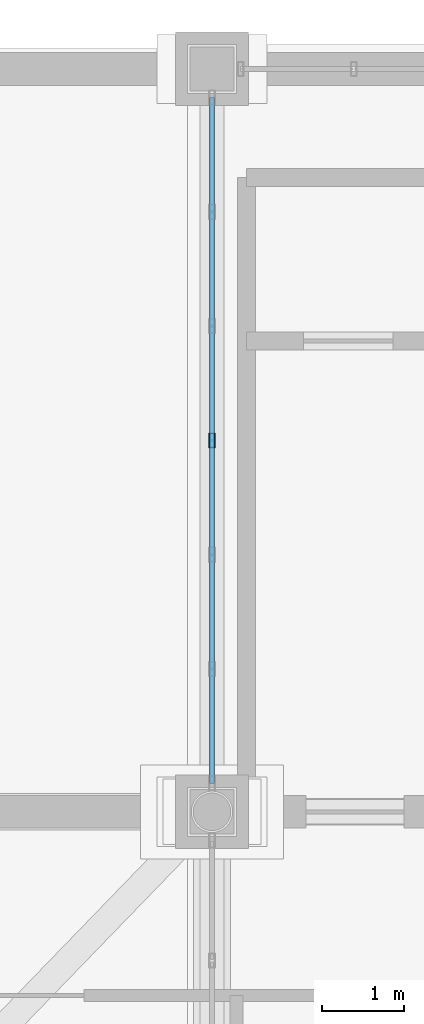
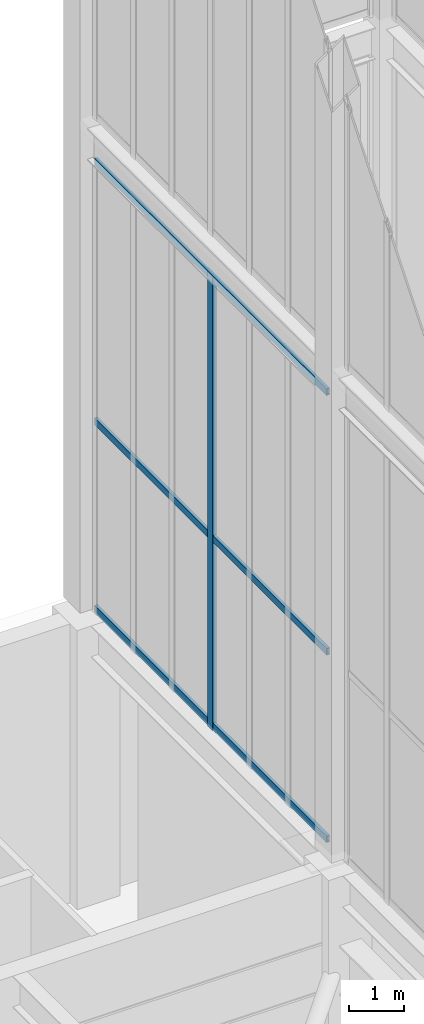
# One storey, part 92 of 135: 4 members, 1 element without a shape of its own.
"""IFC4 building model written with IfcOpenShell, lengths in metres."""

from ifc_helpers import new_model, si_unit, direction, frame, origin, origin_2d, place, context, subcontext, project, spatial, hollow_rectangle, extrude, source, transform, mapped, material, layer, layer_set, material_profile, profile_set, type_object, element, aggregate, save


model = new_model("IFC4")

# Units and contexts
model_context = context("Model", 3, precision=1e-05, world=origin(), true_north=direction((0.0, 1.0)))
body_context = subcontext(model_context, "Body", "Model", "MODEL_VIEW")
ifc_project = project(units=[si_unit("LENGTHUNIT", "METRE"), si_unit("AREAUNIT", "SQUARE_METRE"), si_unit("VOLUMEUNIT", "CUBIC_METRE"), si_unit("PLANEANGLEUNIT", "RADIAN"), si_unit("MASSUNIT", "GRAM", prefix="KILO")], contexts=[model_context])

# Site, building, storey
site_placement = place(None, origin())
site = spatial("IfcSite", under=ifc_project, at=site_placement, CompositionType="ELEMENT")
building_placement = place(site_placement, origin())
building = spatial("IfcBuilding", under=site, at=building_placement, Name="Giltprow Tower", CompositionType="ELEMENT")
storey_placement = place(building_placement, frame((0.0, 0.0, 352.699951171875)))
storey = spatial("IfcBuildingStorey", under=building, at=storey_placement, Name="L92", CompositionType="ELEMENT", Elevation=352.699951171875)

# Curtain wall, members
ifc_material = material(Name="Anodized bronze", Category="metal")
ifc_layer = layer(ifc_material, 0.179931640625, Name="Anodized bronze")
ifc_layer_set = layer_set([ifc_layer], Name="Anodized bronze")
curtain_wall_type = type_object("IfcCurtainWallType", Name="CW-CROWN-LANTERN", PredefinedType="NOTDEFINED", material=ifc_layer_set)
curtain_wall_placement = place(storey_placement, origin())
curtain_wall = element("IfcCurtainWall", 1, at=curtain_wall_placement, inside=storey, type_object=curtain_wall_type, Name="Crown East Lower Lantern Glazing 5", PredefinedType="NOTDEFINED")
ifc_material_profile_1 = material_profile(ifc_material, hollow_rectangle(XDim=0.074951171875, YDim=0.179931640625, WallThickness=0.008056640625, at=origin_2d()), Name="RHS 180x75x8")
ifc_profile_set_1 = profile_set([ifc_material_profile_1], Name="Anodized bronze")
member_type_1 = type_object("IfcMemberType", Name="CW-MULLION-180x75", PredefinedType="MULLION", material=ifc_profile_set_1)
shared_shape_1 = source(origin(), body_context, "Body", "SweptSolid", [
    extrude(hollow_rectangle(XDim=0.074951171875, YDim=0.179931640625, WallThickness=0.008056640625, at=origin_2d()), origin(), (0.0, 0.0, 1.0), 10.030029296875),
])
member_1_placement = place(storey_placement, frame((44.300048828125, 42.0, 6.35009765625), z_axis=(0.0, 0.0, 1.0), x_axis=(1.0, 0.0, 0.0)))
member_1 = element("IfcMember", 2, at=member_1_placement, type_object=member_type_1, Name="Crown East Lower Lantern Glazing 5 Mullion 4", PredefinedType="MULLION", context=body_context, shape_type="MappedRepresentation", body=[
    mapped(shared_shape_1, transform((0.0, 0.0, 0.0), x_axis=(1.0, 0.0, 0.0), y_axis=(0.0, 1.0, 0.0), z_axis=(0.0, 0.0, 1.0), scale=1.0)),
])
ifc_material_profile_2 = material_profile(ifc_material, hollow_rectangle(XDim=0.06494140625, YDim=0.14990234375, WallThickness=0.006103515625, at=origin_2d()), Name="RHS 150x65x6")
ifc_profile_set_2 = profile_set([ifc_material_profile_2], Name="Anodized bronze")
member_type_2 = type_object("IfcMemberType", Name="CW-TRANSOM-150x65", PredefinedType="USERDEFINED", material=ifc_profile_set_2)
shared_shape_2 = source(origin(), body_context, "Body", "SweptSolid", [
    extrude(hollow_rectangle(XDim=0.06494140625, YDim=0.14990234375, WallThickness=0.006103515625, at=origin_2d()), origin(), (0.0, 0.0, 1.0), 8.39990234375),
])
member_2_placement = place(storey_placement, frame((44.300048828125, 46.199951171875, 6.43994140625), z_axis=(0.0, -1.0, 0.0), x_axis=(1.0, 0.0, 0.0)))
member_2 = element("IfcMember", 3, at=member_2_placement, type_object=member_type_2, Name="Crown East Lower Lantern Glazing 5 Transom 1", ObjectType="TRANSOM", PredefinedType="USERDEFINED", context=body_context, shape_type="MappedRepresentation", body=[
    mapped(shared_shape_2, transform((0.0, 0.0, 0.0), x_axis=(1.0, 0.0, 0.0), y_axis=(0.0, 1.0, 0.0), z_axis=(0.0, 0.0, 1.0), scale=1.0)),
])
member_3_placement = place(storey_placement, frame((44.300048828125, 46.199951171875, 10.5791015625), z_axis=(0.0, -1.0, 0.0), x_axis=(1.0, 0.0, 0.0)))
member_3 = element("IfcMember", 4, at=member_3_placement, type_object=member_type_2, Name="Crown East Lower Lantern Glazing 5 Transom 2", ObjectType="TRANSOM", PredefinedType="USERDEFINED", context=body_context, shape_type="MappedRepresentation", body=[
    mapped(shared_shape_2, transform((0.0, 0.0, 0.0), x_axis=(1.0, 0.0, 0.0), y_axis=(0.0, 1.0, 0.0), z_axis=(0.0, 0.0, 1.0), scale=1.0)),
])
member_4_placement = place(storey_placement, frame((44.300048828125, 46.199951171875, 16.31005859375), z_axis=(0.0, -1.0, 0.0), x_axis=(1.0, 0.0, 0.0)))
member_4 = element("IfcMember", 5, at=member_4_placement, type_object=member_type_2, Name="Crown East Lower Lantern Glazing 5 Transom 3", ObjectType="TRANSOM", PredefinedType="USERDEFINED", context=body_context, shape_type="MappedRepresentation", body=[
    mapped(shared_shape_2, transform((0.0, 0.0, 0.0), x_axis=(1.0, 0.0, 0.0), y_axis=(0.0, 1.0, 0.0), z_axis=(0.0, 0.0, 1.0), scale=1.0)),
])
aggregate(curtain_wall, [member_1, member_2, member_3, member_4])

save(model, "model.ifc")
